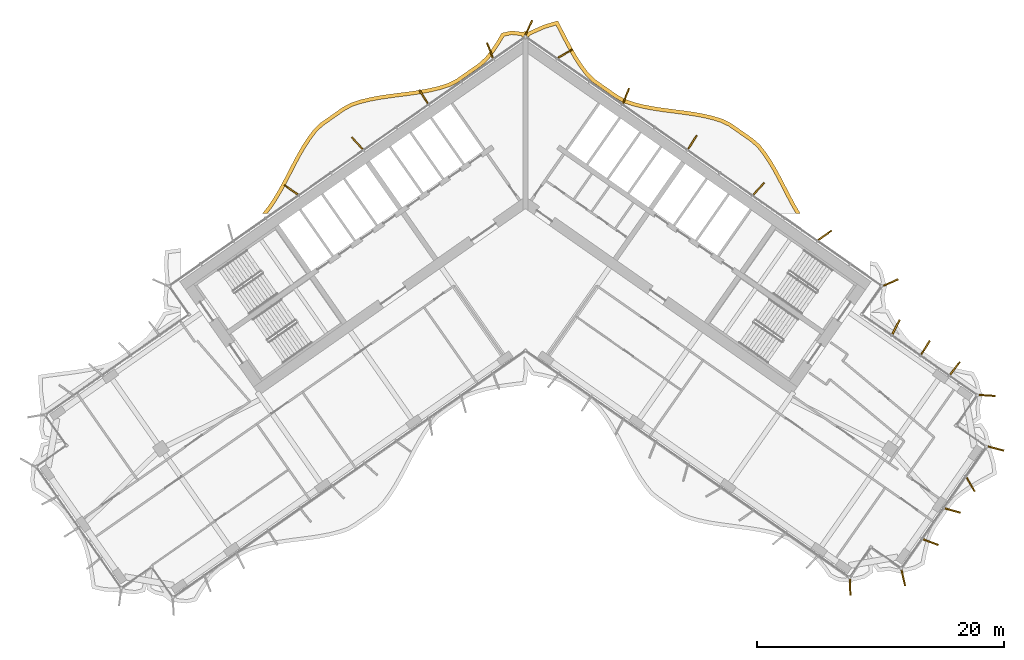
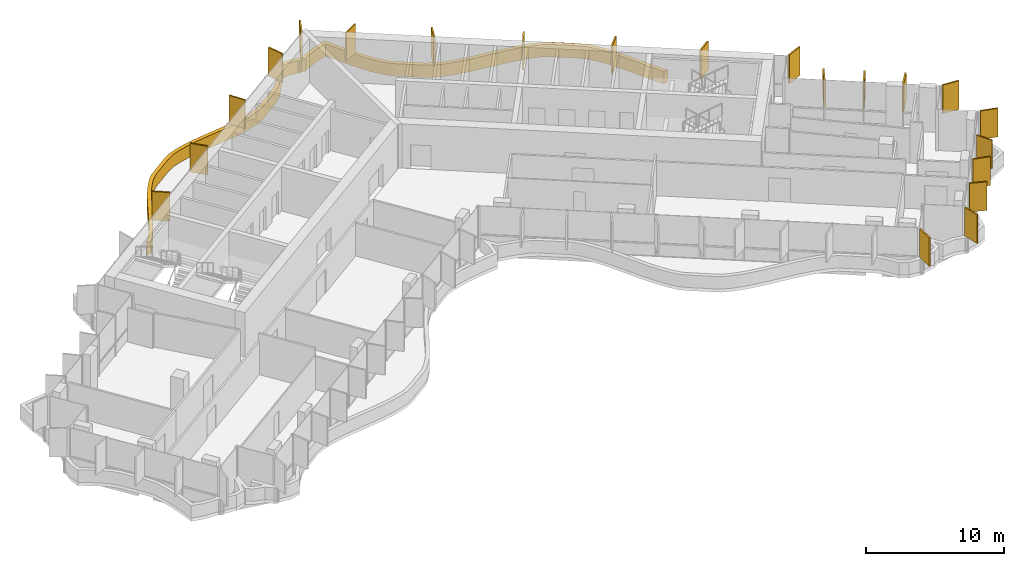
# One storey, part 21 of 21: 22 shading devices.
"""IFC4 building model written with IfcOpenShell, lengths in metres."""

from ifc_helpers import new_model, si_unit, direction, frame, origin, origin_2d, place, context, subcontext, project, spatial, polyline, rectangle, outline, extrude, material, layer, layer_set, type_object, element, save


model = new_model("IFC4")

# Units and contexts
model_context = context("Model", 3, precision=1e-05, world=origin(), true_north=direction((0.0, 1.0)))
body_context = subcontext(model_context, "Body", "Model", "MODEL_VIEW")
ifc_project = project(units=[si_unit("LENGTHUNIT", "METRE"), si_unit("AREAUNIT", "SQUARE_METRE"), si_unit("VOLUMEUNIT", "CUBIC_METRE"), si_unit("PLANEANGLEUNIT", "RADIAN"), si_unit("MASSUNIT", "GRAM", prefix="KILO")], contexts=[model_context])

# Site, building, storey
site_placement = place(None, origin())
site = spatial("IfcSite", under=ifc_project, at=site_placement, CompositionType="ELEMENT")
building_placement = place(site_placement, origin())
building = spatial("IfcBuilding", under=site, at=building_placement, Name="Tel Ilan Convention Tower", CompositionType="ELEMENT")
storey_placement = place(building_placement, frame((0.0, 0.0, 155.39990234375)))
storey = spatial("IfcBuildingStorey", under=building, at=storey_placement, Name="L35", CompositionType="ELEMENT", Elevation=155.39990234375)

# Shading devices
ifc_material_1 = material(Name="Aluminium, bronze anodised", Category="aluminium")
ifc_layer_1 = layer(ifc_material_1, 0.1201171875)
ifc_layer_set_1 = layer_set([ifc_layer_1], Name="FIN BRONZE 1300x120")
shading_device_type_1 = type_object("IfcShadingDeviceType", Name="FIN BRONZE 1300x120", PredefinedType="USERDEFINED", material=ifc_layer_set_1)
for number, where, z_axis, x_axis, name in (
    (1, (29.56689453125, -7.193359375, 1.10009765625), (0.0, 0.0, 1.0), (0.914332505315, 0.404964282034, 0.0), "FIN"),
    (2, (24.233642578125, -3.37841796875, 1.10009765625), (0.0, 0.0, 1.0), (0.813552070258, 0.581492071294, 0.0), "FIN"),
    (3, (18.879150390625, 0.39404296875, 1.10009765625), (0.0, 0.0, 1.0), (0.686241637865, 0.727373641577, 0.0), "FIN"),
    (4, (13.510986328125, 4.153076171875, 1.10009765625), (0.0, 0.0, 1.0), (0.533204432798, 0.845986425922, 0.0), "FIN"),
    (5, (8.139892578125, 7.90576171875, 1.10009765625), (0.0, 0.0, 1.0), (0.360177724803, 0.932883704733, 0.0), "FIN"),
    (6, (3.209716796875, 11.320068359375, 1.10009765625), (0.0, 0.0, 1.0), (0.866025403784, 0.5, 0.0), "FIN"),
    (7, (0.274658203125, 13.43212890625, 1.10009765625), (0.0, 0.0, 1.0), (0.422618261741, 0.906307787037, 0.0), "FIN"),
    (8, (-2.874755859375, 11.592529296875, 1.10009765625), (0.0, 0.0, 1.0), (-0.360177724803, 0.932883704733, 0.0), "FIN"),
    (9, (-8.245849609375, 7.83984375, 1.10009765625), (0.0, 0.0, 1.0), (-0.533204432798, 0.845986425922, 0.0), "FIN"),
    (10, (-13.61376953125, 4.080810546875, 1.10009765625), (0.0, 0.0, 1.0), (-0.686241637865, 0.727373641577, 0.0), "FIN"),
    (11, (-18.96826171875, 0.308349609375, 1.10009765625), (0.0, 0.0, 1.0), (-0.813552070258, 0.581492071294, 0.0), "FIN"),
    (12, (26.2724609375, -31.85791015625, 1.10009765625), (0.0, 0.0, 1.0), (0.029084718749, -0.999576950082, 0.0), "FIN"),
    (13, (30.574462890625, -31.099609375, 1.10009765625), (0.0, 0.0, 1.0), (0.221170268371, -0.975235208752, 0.0), "FIN"),
    (14, (32.79736328125, -28.20703125, 1.10009765625), (0.0, 0.0, 1.0), (0.932883704733, -0.360177724803, 0.0), "FIN"),
    (15, (34.5712890625, -25.65185546875, 1.10009765625), (0.0, 0.0, 1.0), (0.963370878614, -0.268172612768, 0.0), "FIN"),
    (16, (36.02392578125, -23.545166015625, 1.10009765625), (0.0, 0.0, 1.0), (0.5, -0.866025403784, 0.0), "FIN"),
    (17, (38.080078125, -20.633544921875, 1.10009765625), (0.0, 0.0, 1.0), (0.965925826289, -0.258819045103, 0.0), "FIN"),
    (18, (37.353271484375, -16.3330078125, 1.10009765625), (0.0, 0.0, 1.0), (0.997697449973, -0.067821812994, 0.0), "FIN"),
    (19, (34.756103515625, -14.14111328125, 1.10009765625), (0.0, 0.0, 1.0), (0.612600545196, 0.790392669516, 0.0), "FIN"),
    (20, (32.369873046875, -12.47021484375, 1.10009765625), (0.0, 0.0, 1.0), (0.533204432798, 0.845986425922, 0.0), "FIN"),
    (21, (29.98388671875, -10.7998046875, 1.10009765625), (0.0, 0.0, 1.0), (0.448799180206, 0.893632640321, 0.0), "FIN"),
):
    element("IfcShadingDevice", number, at=place(storey_placement, frame(where, z_axis=z_axis, x_axis=x_axis)), inside=storey, type_object=shading_device_type_1, Name=name, ObjectType="FIN", PredefinedType="USERDEFINED", context=body_context, shape_type="SweptSolid", body=[
        extrude(rectangle(XDim=1.300048828125, YDim=0.1201171875, at=origin_2d()), origin(), (0.0, 0.0, 1.0), 2.52001953125),
    ])
ifc_material_2 = material(Name="Aluminium, bronze anodised", Category="aluminium")
ifc_layer_2 = layer(ifc_material_2, 0.300048828125)
ifc_layer_set_2 = layer_set([ifc_layer_2], Name="LOUVRE BAND 300x1100")
shading_device_type_2 = type_object("IfcShadingDeviceType", Name="LOUVRE BAND 300x1100", PredefinedType="USERDEFINED", material=ifc_layer_set_2)
shading_device_placement = place(storey_placement, origin())
element("IfcShadingDevice", 22, at=shading_device_placement, inside=storey, type_object=shading_device_type_2, Name="LOUVRE BAND 27.02", ObjectType="LOUVRE", PredefinedType="USERDEFINED", context=body_context, shape_type="SweptSolid", body=[
    extrude(outline(polyline([(-20.849609375, -1.0634765625), (-21.30126953125, -1.631591796875), (-20.91796875, -1.631591796875), (-20.607666015625, -1.2412109375), (-20.154052734375, -0.572265625), (-19.73291015625, 0.13330078125), (-19.335205078125, 0.86328125), (-18.57080078125, 2.342041015625), (-18.1845703125, 3.06298828125), (-17.78369140625, 3.75341796875), (-17.359619140625, 4.40185546875), (-16.911376953125, 4.99072265625), (-16.409912109375, 5.478515625), (-14.633056640625, 6.722412109375), (-14.02197265625, 7.05712890625), (-13.32763671875, 7.284912109375), (-12.58056640625, 7.4697265625), (-11.800048828125, 7.61669921875), (-10.994384765625, 7.73681640625), (-9.345458984375, 7.94873046875), (-8.521484375, 8.068603515625), (-7.710693359375, 8.216064453125), (-6.921875, 8.404296875), (-6.152587890625, 8.64794921875), (-5.447509765625, 9.00390625), (-3.604248046875, 10.29443359375), (-3.021484375, 10.82373046875), (-2.525634765625, 11.46142578125), (-2.076904296875, 12.135498046875), (-1.727783203125, 12.727294921875), (-1.12451171875, 12.861572265625), (-0.33935546875, 12.77978515625), (-0.24609375, 12.646728515625), (0.0, 12.818115234375), (0.24609375, 12.646728515625), (0.3701171875, 12.82373046875), (1.583984375, 13.365234375), (2.46484375, 13.628173828125), (3.115478515625, 12.37158203125), (3.5078125, 11.636474609375), (3.92041015625, 10.921630859375), (4.362548828125, 10.239501953125), (4.84716796875, 9.595947265625), (5.407958984375, 9.031494140625), (7.251220703125, 7.74072265625), (7.93212890625, 7.353759765625), (8.69921875, 7.09716796875), (9.48291015625, 6.89990234375), (10.2900390625, 6.745361328125), (11.112060546875, 6.621337890625), (12.762939453125, 6.408935546875), (13.572509765625, 6.29248046875), (14.3583984375, 6.15185546875), (15.11279296875, 5.97509765625), (15.819580078125, 5.75537109375), (16.44921875, 5.450927734375), (18.22607421875, 4.206787109375), (18.74951171875, 3.746826171875), (19.200927734375, 3.172607421875), (19.63037109375, 2.533447265625), (20.03515625, 1.850341796875), (20.423583984375, 1.13427734375), (21.186767578125, -0.3427734375), (21.5810546875, -1.075927734375), (21.906005859375, -1.631591796875), (22.25341796875, -1.631591796875), (21.8427734375, -0.928955078125), (21.4521484375, -0.202880859375), (20.688720703125, 1.27490234375), (20.296142578125, 1.998291015625), (19.884033203125, 2.69384765625), (19.44384765625, 3.34912109375), (18.96826171875, 3.9541015625), (18.41162109375, 4.443115234375), (16.6015625, 5.71044921875), (15.929931640625, 6.03515625), (15.191650390625, 6.2646484375), (14.419189453125, 6.44580078125), (13.6201171875, 6.588623046875), (12.80322265625, 6.7060546875), (11.15380859375, 6.91845703125), (10.340576171875, 7.041259765625), (9.547607421875, 7.19287109375), (8.783447265625, 7.385498046875), (8.054931640625, 7.62890625), (7.411865234375, 7.99462890625), (5.601806640625, 9.261962890625), (5.074462890625, 9.792724609375), (4.608642578125, 10.41162109375), (4.17626953125, 11.078369140625), (3.770263671875, 11.7822265625), (3.38134765625, 12.510986328125), (2.6162109375, 13.986328125), (1.4794921875, 13.647216796875), (0.168701171875, 13.059326171875), (0.11474609375, 13.09521484375), (0.0, 13.1181640625), (-0.11474609375, 13.09521484375), (-0.168701171875, 13.059326171875), (-1.14208984375, 13.1650390625), (-1.919921875, 12.991943359375), (-2.3310546875, 12.294921875), (-2.769287109375, 11.63671875), (-3.242431640625, 11.0283203125), (-3.7919921875, 10.529296875), (-5.601806640625, 9.261962890625), (-6.26611328125, 8.926513671875), (-7.002197265625, 8.693603515625), (-7.7724609375, 8.509765625), (-8.570068359375, 8.36474609375), (-9.385986328125, 8.24609375), (-11.03564453125, 8.033935546875), (-11.849853515625, 7.91259765625), (-12.644287109375, 7.76318359375), (-13.41064453125, 7.573486328125), (-14.141845703125, 7.33349609375), (-14.791748046875, 6.977783203125), (-16.6015625, 5.71044921875), (-17.136474609375, 5.1904296875), (-17.604736328125, 4.574951171875), (-18.0390625, 3.9111328125), (-18.44677734375, 3.209228515625), (-18.83642578125, 2.481689453125), (-19.60009765625, 1.004150390625), (-19.993408203125, 0.281982421875), (-20.4072265625, -0.4111328125), (-20.849609375, -1.0634765625)])), origin(), (0.0, 0.0, 1.0), 1.10009765625),
])

save(model, "model.ifc")
